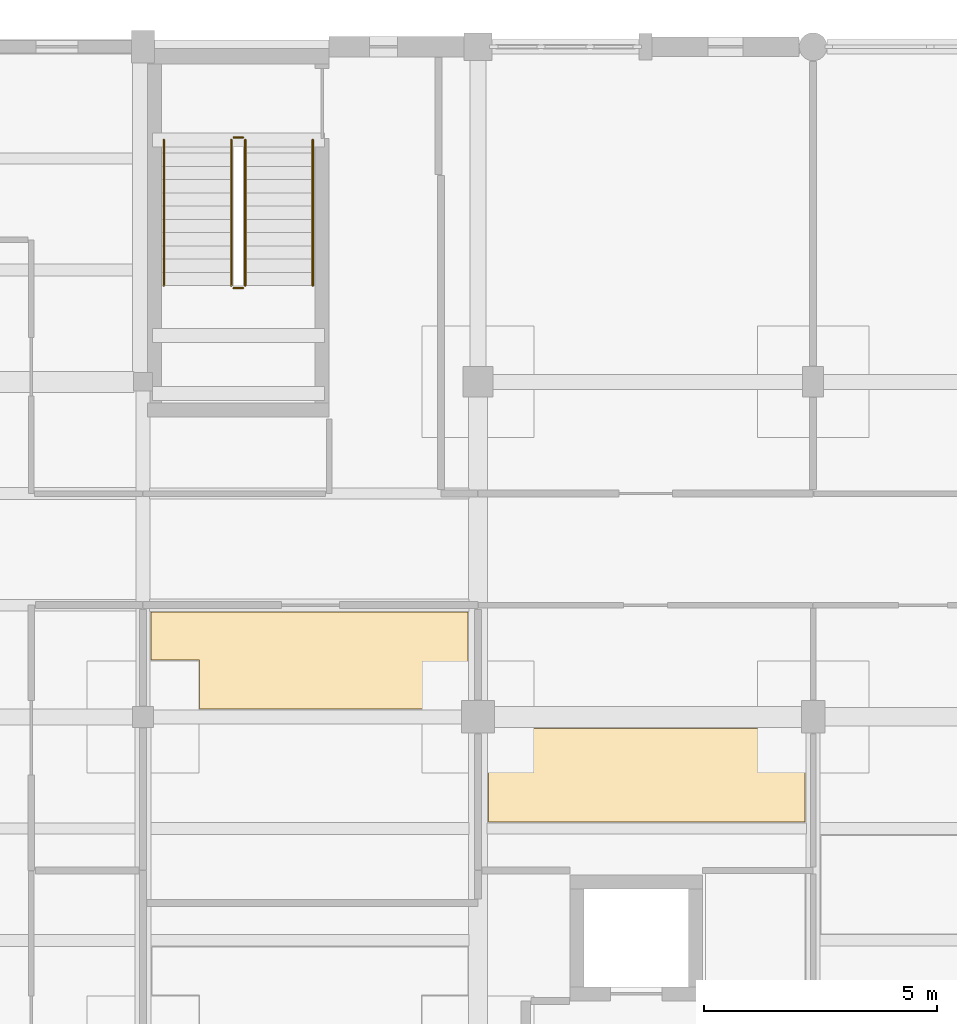
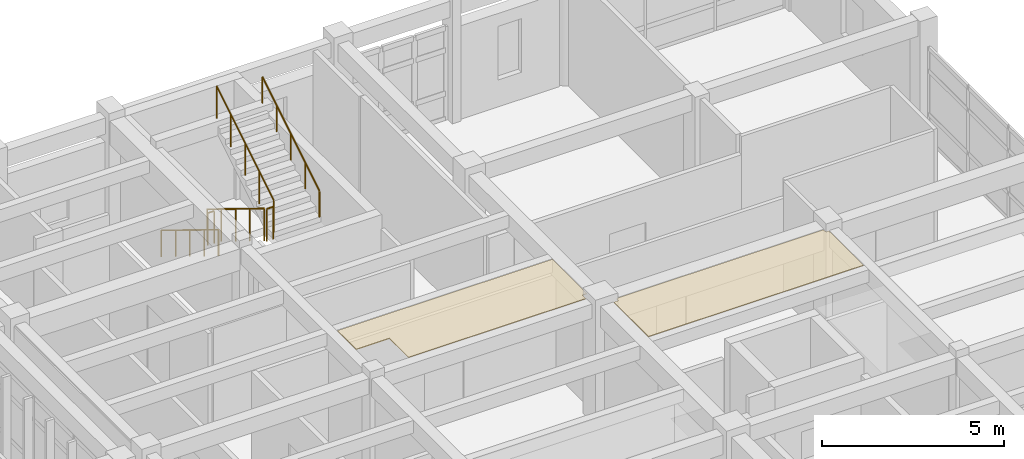
# One storey, part 54 of 55: 6 railings, 2 coverings.
"""IFC4 building model written with IfcOpenShell, lengths in metres."""

from ifc_helpers import new_model, si_unit, direction, frame, origin, origin_2d, place, context, subcontext, project, spatial, polyline, circle, outline, extrude, material, layer, layer_set, type_object, element, save


model = new_model("IFC4")

# Units and contexts
model_context = context("Model", 3, precision=1e-05, world=origin(), true_north=direction((0.0, 1.0)))
body_context = subcontext(model_context, "Body", "Model", "MODEL_VIEW")
ifc_project = project(units=[si_unit("LENGTHUNIT", "METRE"), si_unit("AREAUNIT", "SQUARE_METRE"), si_unit("VOLUMEUNIT", "CUBIC_METRE"), si_unit("PLANEANGLEUNIT", "RADIAN"), si_unit("MASSUNIT", "GRAM", prefix="KILO")], contexts=[model_context])

# Site, building, storey
site_placement = place(None, origin())
site = spatial("IfcSite", under=ifc_project, at=site_placement, CompositionType="ELEMENT")
building_placement = place(site_placement, origin())
building = spatial("IfcBuilding", under=site, at=building_placement, Name="Steenspoor Specialist Clinic", CompositionType="ELEMENT")
storey_placement = place(building_placement, frame((0.0, 0.0, 13.199951171875)))
storey = spatial("IfcBuildingStorey", under=building, at=storey_placement, Name="L03", CompositionType="ELEMENT", Elevation=13.199951171875)

# Coverings
ifc_material_1 = material(Name="Washable acoustic mineral ceiling board", Category="gypsum")
ifc_layer = layer(ifc_material_1, 0.02490234375)
ifc_layer_set = layer_set([ifc_layer], Name="Washable acoustic mineral ceiling board")
covering_type = type_object("IfcCoveringType", Name="COV-CEIL-ACOUSTIC", PredefinedType="CEILING", material=ifc_layer_set)
covering_1_placement = place(storey_placement, frame((0.0, 0.0, 3.925048828125)))
element("IfcCovering", 1, at=covering_1_placement, inside=storey, type_object=covering_type, Name="Acoustic Clinical Ceiling 186", PredefinedType="CEILING", context=body_context, shape_type="SweptSolid", body=[
    extrude(outline(polyline([(132.034912109375, 94.1201171875), (126.419921875, 94.1201171875), (126.419921875, 95.169921875), (125.3701171875, 95.169921875), (125.3701171875, 96.199951171875), (132.179931640625, 96.199951171875), (132.179931640625, 94.31494140625), (132.034912109375, 94.31494140625), (132.034912109375, 94.1201171875)])), origin(), (0.0, 0.0, 1.0), 0.02490234375),
])
covering_2_placement = place(storey_placement, frame((0.0, 0.0, 3.925048828125)))
element("IfcCovering", 2, at=covering_2_placement, inside=storey, type_object=covering_type, Name="Acoustic Clinical Ceiling 187", PredefinedType="CEILING", context=body_context, shape_type="SweptSolid", body=[
    extrude(outline(polyline([(132.6201171875, 93.5849609375), (132.764892578125, 93.5849609375), (132.764892578125, 93.705078125), (139.3349609375, 93.705078125), (139.3349609375, 93.5849609375), (139.429931640625, 93.5849609375), (139.429931640625, 91.68994140625), (132.6201171875, 91.68994140625), (132.6201171875, 93.5849609375)])), origin(), (0.0, 0.0, 1.0), 0.02490234375),
])

# Railings
ifc_material_2 = material(Name="Painted architectural steel balustrade", Category="steel")
railing_type_1 = type_object("IfcRailingType", Name="RAIL-GUARD-1100", PredefinedType="GUARDRAIL", material=ifc_material_2)
railing_1_placement = place(storey_placement, frame((127.10009765625, 106.35009765625, 0.175048828125)))
element("IfcRailing", 3, at=railing_1_placement, inside=storey, type_object=railing_type_1, Name="L03 ST-V6A stair guard 1", PredefinedType="GUARDRAIL", context=body_context, shape_type="SweptSolid", body=[
    extrude(circle(Radius=0.02392578125, at=origin_2d()), frame((0.0, 0.0, 1.076171875), z_axis=(0.0, -0.852166034122, 0.523271488128), x_axis=(1.0, 0.0, 0.0)), (0.0, 0.0, 1.0), 3.678955078125),
    extrude(circle(Radius=0.02099609375, at=origin_2d()), origin(), (0.0, 0.0, 1.0), 1.052001953125),
    extrude(circle(Radius=0.02099609375, at=origin_2d()), frame((0.0, -0.78369140625, 0.481201171875)), (0.0, 0.0, 1.0), 1.052001953125),
    extrude(circle(Radius=0.02099609375, at=origin_2d()), frame((0.0, -1.5673828125, 0.96240234375)), (0.0, 0.0, 1.0), 1.052001953125),
    extrude(circle(Radius=0.02099609375, at=origin_2d()), frame((0.0, -2.351318359375, 1.44384765625)), (0.0, 0.0, 1.0), 1.052001953125),
    extrude(circle(Radius=0.02099609375, at=origin_2d()), frame((0.0, -3.135009765625, 1.925048828125)), (0.0, 0.0, 1.0), 1.052001953125),
])
railing_2_placement = place(storey_placement, frame((127.14990234375, 103.1650390625, 2.10009765625)))
element("IfcRailing", 4, at=railing_2_placement, inside=storey, type_object=railing_type_1, Name="L03 ST-V6A stair guard 2", PredefinedType="GUARDRAIL", context=body_context, shape_type="SweptSolid", body=[
    extrude(circle(Radius=0.02392578125, at=origin_2d()), frame((0.0, 0.0, 1.076171875), z_axis=(1.0, 0.0, 0.0), x_axis=(0.0, 1.0, 0.0)), (0.0, 0.0, 1.0), 0.2001953125),
    extrude(circle(Radius=0.02099609375, at=origin_2d()), origin(), (0.0, 0.0, 1.0), 1.052001953125),
    extrude(circle(Radius=0.02099609375, at=origin_2d()), frame((0.2001953125, 0.0, 0.0)), (0.0, 0.0, 1.0), 1.052001953125),
])
railing_3_placement = place(storey_placement, frame((127.39990234375, 103.215087890625, 2.275146484375)))
element("IfcRailing", 5, at=railing_3_placement, inside=storey, type_object=railing_type_1, Name="L03 ST-V6A stair guard 3", PredefinedType="GUARDRAIL", context=body_context, shape_type="SweptSolid", body=[
    extrude(circle(Radius=0.02392578125, at=origin_2d()), frame((0.0, 0.0, 1.076171875), z_axis=(0.0, 0.852195625947, 0.523223293744), x_axis=(-1.0, 0.0, 0.0)), (0.0, 0.0, 1.0), 3.6787109375),
    extrude(circle(Radius=0.02099609375, at=origin_2d()), origin(), (0.0, 0.0, 1.0), 1.052001953125),
    extrude(circle(Radius=0.02099609375, at=origin_2d()), frame((0.0, 0.78369140625, 0.481201171875)), (0.0, 0.0, 1.0), 1.052001953125),
    extrude(circle(Radius=0.02099609375, at=origin_2d()), frame((0.0, 1.5673828125, 0.96240234375)), (0.0, 0.0, 1.0), 1.052001953125),
    extrude(circle(Radius=0.02099609375, at=origin_2d()), frame((0.0, 2.351318359375, 1.443603515625)), (0.0, 0.0, 1.0), 1.052001953125),
    extrude(circle(Radius=0.02099609375, at=origin_2d()), frame((0.0, 3.135009765625, 1.9248046875)), (0.0, 0.0, 1.0), 1.052001953125),
])
railing_4_placement = place(storey_placement, frame((127.14990234375, 106.39990234375, 0.0)))
element("IfcRailing", 6, at=railing_4_placement, inside=storey, type_object=railing_type_1, Name="L03 ST-V6A stair guard 4", PredefinedType="GUARDRAIL", context=body_context, shape_type="SweptSolid", body=[
    extrude(circle(Radius=0.02392578125, at=origin_2d()), frame((0.0, 0.0, 1.076171875), z_axis=(1.0, 0.0, 0.0), x_axis=(0.0, 1.0, 0.0)), (0.0, 0.0, 1.0), 0.2001953125),
    extrude(circle(Radius=0.02099609375, at=origin_2d()), origin(), (0.0, 0.0, 1.0), 1.052001953125),
    extrude(circle(Radius=0.02099609375, at=origin_2d()), frame((0.2001953125, 0.0, 0.0)), (0.0, 0.0, 1.0), 1.052001953125),
])
ifc_material_3 = material(Name="Brushed stainless steel clinical handrail", Category="steel")
railing_type_2 = type_object("IfcRailingType", Name="RAIL-HAND-900", PredefinedType="HANDRAIL", material=ifc_material_3)
railing_5_placement = place(storey_placement, frame((125.64990234375, 106.35009765625, 0.175048828125)))
element("IfcRailing", 7, at=railing_5_placement, inside=storey, type_object=railing_type_2, Name="L03 ST-V6A stair handrail 1", PredefinedType="HANDRAIL", context=body_context, shape_type="SweptSolid", body=[
    extrude(circle(Radius=0.02392578125, at=origin_2d()), frame((0.0, 0.0, 0.8759765625), z_axis=(0.0, -0.852166034122, 0.523271488128), x_axis=(1.0, 0.0, 0.0)), (0.0, 0.0, 1.0), 3.678955078125),
    extrude(circle(Radius=0.02099609375, at=origin_2d()), origin(), (0.0, 0.0, 1.0), 0.851806640625),
    extrude(circle(Radius=0.02099609375, at=origin_2d()), frame((0.0, -0.78369140625, 0.481201171875)), (0.0, 0.0, 1.0), 0.851806640625),
    extrude(circle(Radius=0.02099609375, at=origin_2d()), frame((0.0, -1.5673828125, 0.96240234375)), (0.0, 0.0, 1.0), 0.851806640625),
    extrude(circle(Radius=0.02099609375, at=origin_2d()), frame((0.0, -2.351318359375, 1.44384765625)), (0.0, 0.0, 1.0), 0.851806640625),
    extrude(circle(Radius=0.02099609375, at=origin_2d()), frame((0.0, -3.135009765625, 1.925048828125)), (0.0, 0.0, 1.0), 0.851806640625),
])
railing_6_placement = place(storey_placement, frame((128.85009765625, 103.215087890625, 2.275146484375)))
element("IfcRailing", 8, at=railing_6_placement, inside=storey, type_object=railing_type_2, Name="L03 ST-V6A stair handrail 2", PredefinedType="HANDRAIL", context=body_context, shape_type="SweptSolid", body=[
    extrude(circle(Radius=0.02392578125, at=origin_2d()), frame((0.0, 0.0, 0.8759765625), z_axis=(0.0, 0.852195625947, 0.523223293744), x_axis=(-1.0, 0.0, 0.0)), (0.0, 0.0, 1.0), 3.6787109375),
    extrude(circle(Radius=0.02099609375, at=origin_2d()), origin(), (0.0, 0.0, 1.0), 0.851806640625),
    extrude(circle(Radius=0.02099609375, at=origin_2d()), frame((0.0, 0.78369140625, 0.481201171875)), (0.0, 0.0, 1.0), 0.851806640625),
    extrude(circle(Radius=0.02099609375, at=origin_2d()), frame((0.0, 1.5673828125, 0.96240234375)), (0.0, 0.0, 1.0), 0.851806640625),
    extrude(circle(Radius=0.02099609375, at=origin_2d()), frame((0.0, 2.351318359375, 1.443603515625)), (0.0, 0.0, 1.0), 0.851806640625),
    extrude(circle(Radius=0.02099609375, at=origin_2d()), frame((0.0, 3.135009765625, 1.9248046875)), (0.0, 0.0, 1.0), 0.851806640625),
])

save(model, "model.ifc")
